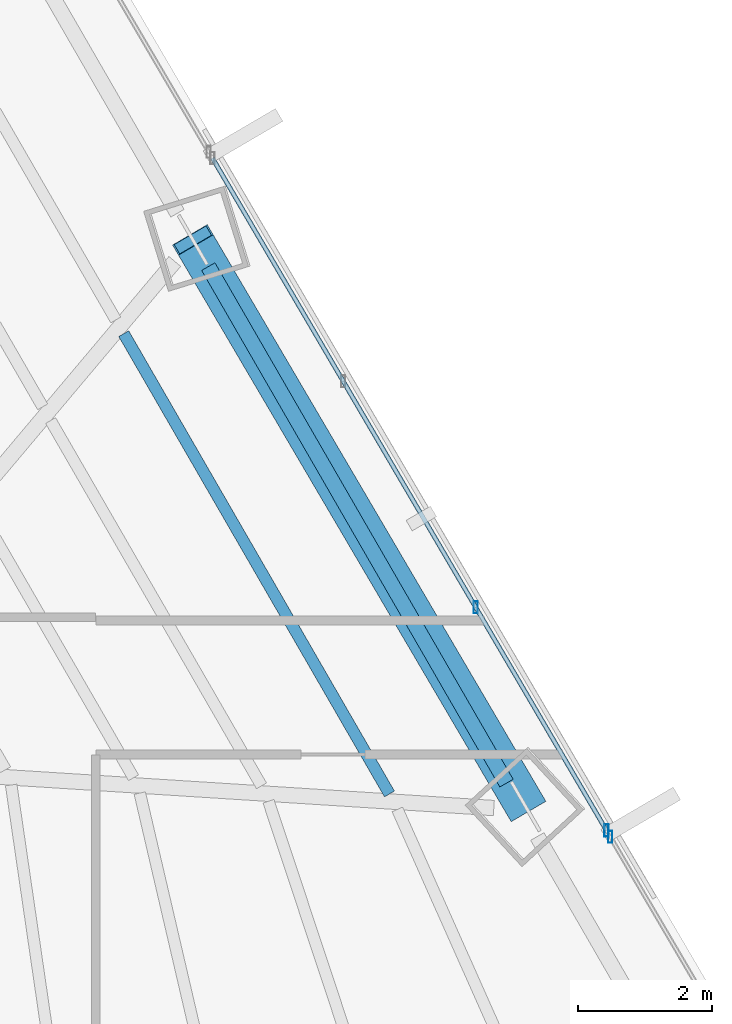
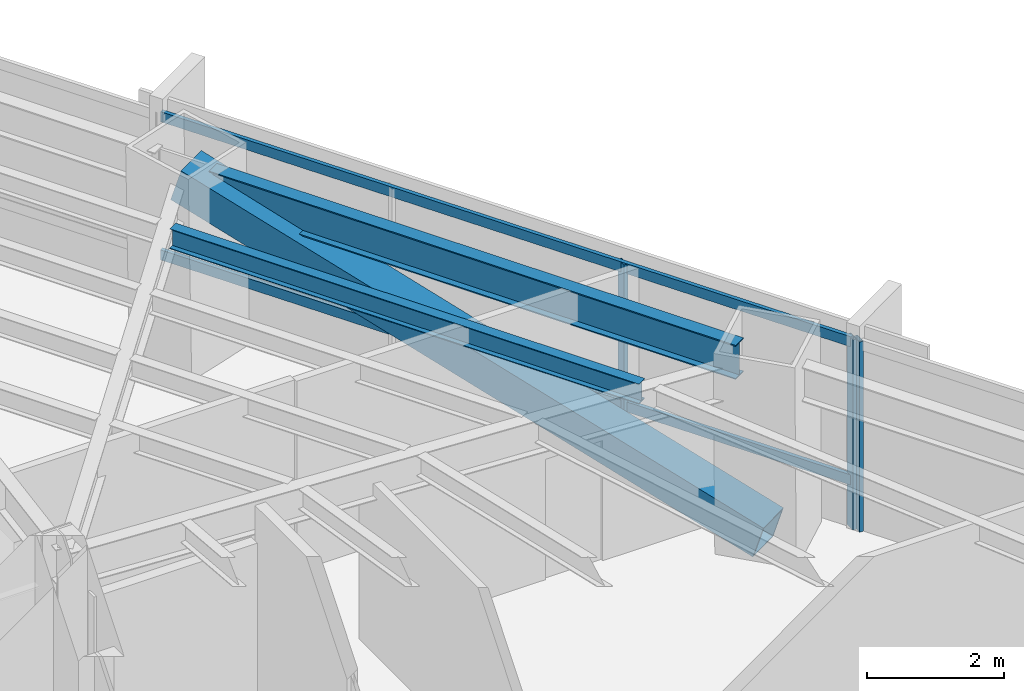
# One storey, part 16 of 29: 6 members, 2 beams, 2 elements without a shape of their own.
"""IFC4 building model written with IfcOpenShell, lengths in metres."""

from ifc_helpers import new_model, si_unit, direction, frame, origin, origin_2d, place, context, subcontext, project, spatial, hollow_rectangle, i_section, extrude, source, transform, mapped, material, material_profile, profile_set, type_object, type_shapes, element, aggregate, save


model = new_model("IFC4")

# Units and contexts
model_context = context("Model", 3, precision=1e-05, world=origin(), true_north=direction((0.0, 1.0)))
body_context = subcontext(model_context, "Body", "Model", "MODEL_VIEW")
ifc_project = project(units=[si_unit("LENGTHUNIT", "METRE"), si_unit("AREAUNIT", "SQUARE_METRE"), si_unit("VOLUMEUNIT", "CUBIC_METRE"), si_unit("PLANEANGLEUNIT", "RADIAN"), si_unit("MASSUNIT", "GRAM", prefix="KILO")], contexts=[model_context])

# Site, building, storey
site_placement = place(None, origin())
site = spatial("IfcSite", under=ifc_project, at=site_placement, CompositionType="ELEMENT")
building_placement = place(site_placement, origin())
building = spatial("IfcBuilding", under=site, at=building_placement, Name="Caelisora Broadcast Tower", CompositionType="ELEMENT")
storey_placement = place(building_placement, frame((0.0, 0.0, 31.25)))
storey = spatial("IfcBuildingStorey", under=building, at=storey_placement, Name="L07", CompositionType="ELEMENT", Elevation=31.25)

# Beams
ifc_material_1 = material(Name="Steel Grade 350 (AS/NZS 3679.1)", Category="steel")
ifc_material_profile_1 = material_profile(ifc_material_1, i_section(OverallWidth=0.22900390625, OverallDepth=0.611572265625, WebThickness=0.011962890625, FlangeThickness=0.01953125, at=origin_2d()), Name="Steel Grade 350 (AS/NZS 3679.1)")
ifc_profile_set_1 = profile_set([ifc_material_profile_1], Name="Steel Grade 350 (AS/NZS 3679.1)")
beam_type_1 = type_object("IfcBeamType", Name="PG03", PredefinedType="BEAM", material=ifc_profile_set_1)
shared_shape_1 = source(origin(), body_context, "Body", "SweptSolid", [
    extrude(i_section(OverallWidth=0.22900390625, OverallDepth=0.611572265625, WebThickness=0.011962890625, FlangeThickness=0.01953125, at=origin_2d()), origin(), (0.0, 0.0, 1.0), 8.900390625),
])
type_shapes(beam_type_1, [shared_shape_1])
beam_1_placement = place(storey_placement, frame((56.7275390625, 29.673583984375, 3.09423828125), z_axis=(-0.49999788721, 0.866026623601, 0.0), x_axis=(-0.866026623601, -0.49999788721, 0.0)))
element("IfcBeam", 1, at=beam_1_placement, inside=storey, type_object=beam_type_1, Name="L07 beam PG03", PredefinedType="BEAM", context=body_context, shape_type="MappedRepresentation", body=[
    mapped(shared_shape_1, transform((0.0, 0.0, 0.0), scale=1.0)),
])
ifc_material_profile_2 = material_profile(ifc_material_1, i_section(OverallWidth=0.172119140625, OverallDepth=0.358642578125, WebThickness=0.008056640625, FlangeThickness=0.012939453125, at=origin_2d()), Name="Steel Grade 350 (AS/NZS 3679.1)")
ifc_profile_set_2 = profile_set([ifc_material_profile_2], Name="Steel Grade 350 (AS/NZS 3679.1)")
beam_type_2 = type_object("IfcBeamType", Name="SB02", PredefinedType="JOIST", material=ifc_profile_set_2)
shared_shape_2 = source(origin(), body_context, "Body", "SweptSolid", [
    extrude(i_section(OverallWidth=0.172119140625, OverallDepth=0.358642578125, WebThickness=0.008056640625, FlangeThickness=0.012939453125, at=origin_2d()), origin(), (0.0, 0.0, 1.0), 7.931640625),
])
type_shapes(beam_type_2, [shared_shape_2])
beam_2_placement = place(storey_placement, frame((54.981201171875, 29.511962890625, 3.220703125), z_axis=(-0.499992447139, 0.866029764387, 0.0), x_axis=(-0.866029764387, -0.499992447139, 0.0)))
element("IfcBeam", 2, at=beam_2_placement, inside=storey, type_object=beam_type_2, Name="L07 beam SB02", PredefinedType="JOIST", context=body_context, shape_type="MappedRepresentation", body=[
    mapped(shared_shape_2, transform((0.0, 0.0, 0.0), scale=1.0)),
])

# Member
ifc_material_2 = material(Name="Steel Grade 450 L15 (AS/NZS 3678)", Category="steel")
ifc_material_profile_3 = material_profile(ifc_material_2, hollow_rectangle(XDim=0.60009765625, YDim=0.60009765625, WallThickness=0.02490234375, at=origin_2d()), Name="Steel Grade 450 L15 (AS/NZS 3678)")
ifc_profile_set_3 = profile_set([ifc_material_profile_3], Name="Steel Grade 450 L15 (AS/NZS 3678)")
member_type_1 = type_object("IfcMemberType", Name="BR01", PredefinedType="BRACE", material=ifc_profile_set_3)
shared_shape_3 = source(origin(), body_context, "Body", "SweptSolid", [
    extrude(hollow_rectangle(XDim=0.60009765625, YDim=0.60009765625, WallThickness=0.02490234375, at=origin_2d()), origin(), (0.0, 0.0, 1.0), 10.2529296875),
])
type_shapes(member_type_1, [shared_shape_3])
member_1_placement = place(storey_placement, frame((57.011962890625, 29.32568359375, 0.10009765625), z_axis=(-0.484211300434, 0.824576008002, 0.29259839979), x_axis=(-0.862314856433, -0.506372479874, 0.0)))
element("IfcMember", 3, at=member_1_placement, inside=storey, type_object=member_type_1, Name="L07 perimeter brace BR01", PredefinedType="BRACE", context=body_context, shape_type="MappedRepresentation", body=[
    mapped(shared_shape_3, transform((0.0, 0.0, 0.0), scale=1.0)),
])

# Curtain wall, members
ifc_material_3 = material(Name="Unitised Aluminium Insulated Shadow-Box Spandrel Curtain Wall", Category="aluminium")
curtain_wall_type_1 = type_object("IfcCurtainWallType", Name="CW-SP1", PredefinedType="NOTDEFINED", material=ifc_material_3)
curtain_wall_1_placement = place(storey_placement, origin())
curtain_wall_1 = element("IfcCurtainWall", 4, at=curtain_wall_1_placement, inside=storey, type_object=curtain_wall_type_1, Name="L07 curtain wall CW-SP1", PredefinedType="NOTDEFINED")
ifc_material_4 = material(Name="Aluminium 6063-T6 Anodised Terracotta Bronze", Category="aluminium")
ifc_material_profile_4 = material_profile(ifc_material_4, hollow_rectangle(XDim=0.06494140625, YDim=0.179931640625, WallThickness=0.00341796875, at=origin_2d()), Name="Aluminium 6063-T6 Anodised Terracotta Bronze")
ifc_profile_set_4 = profile_set([ifc_material_profile_4], Name="Aluminium 6063-T6 Anodised Terracotta Bronze")
member_type_2 = type_object("IfcMemberType", Name="CWM-02", PredefinedType="MULLION", material=ifc_profile_set_4)
shared_shape_4 = source(origin(), body_context, "Body", "SweptSolid", [
    extrude(hollow_rectangle(XDim=0.06494140625, YDim=0.179931640625, WallThickness=0.00341796875, at=origin_2d()), origin(), (0.0, 0.0, 1.0), 3.39990234375),
])
type_shapes(member_type_2, [shared_shape_4])
member_2_placement = place(storey_placement, frame((56.268310546875, 32.296630859375, 0.0), z_axis=(0.0, 0.0, 1.0), x_axis=(1.0, 0.0, 0.0)))
member_2 = element("IfcMember", 5, at=member_2_placement, type_object=member_type_2, Name="L07-CW-B02 mullion #2", PredefinedType="MULLION", context=body_context, shape_type="MappedRepresentation", body=[
    mapped(shared_shape_4, transform((0.0, 0.0, 0.0), scale=1.0)),
])
member_3_placement = place(storey_placement, frame((58.2197265625, 28.967041015625, 0.0), z_axis=(0.0, 0.0, 1.0), x_axis=(1.0, 0.0, 0.0)))
member_3 = element("IfcMember", 6, at=member_3_placement, type_object=member_type_2, Name="L07-CW-B02 mullion #3", PredefinedType="MULLION", context=body_context, shape_type="MappedRepresentation", body=[
    mapped(shared_shape_4, transform((0.0, 0.0, 0.0), scale=1.0)),
])

# Curtain wall, member
ifc_material_5 = material(Name="Unitised Aluminium and Low-E Glass Curtain Wall", Category="glass")
curtain_wall_type_2 = type_object("IfcCurtainWallType", Name="CW-Z1", PredefinedType="NOTDEFINED", material=ifc_material_5)
curtain_wall_2_placement = place(storey_placement, origin())
curtain_wall_2 = element("IfcCurtainWall", 7, at=curtain_wall_2_placement, inside=storey, type_object=curtain_wall_type_2, Name="L07 curtain wall CW-Z1", PredefinedType="NOTDEFINED")
member_4_placement = place(storey_placement, frame((58.275390625, 28.872314453125, 0.0), z_axis=(0.0, 0.0, 1.0), x_axis=(1.0, 0.0, 0.0)))
member_4 = element("IfcMember", 8, at=member_4_placement, type_object=member_type_2, Name="L07-CW-B03 mullion #0", PredefinedType="MULLION", context=body_context, shape_type="MappedRepresentation", body=[
    mapped(shared_shape_4, transform((0.0, 0.0, 0.0), scale=1.0)),
])
aggregate(curtain_wall_2, [member_4])

# Member
ifc_material_profile_5 = material_profile(ifc_material_4, hollow_rectangle(XDim=0.06494140625, YDim=0.179931640625, WallThickness=0.00341796875, at=origin_2d()), Name="Aluminium 6063-T6 Anodised Terracotta Bronze")
ifc_profile_set_5 = profile_set([ifc_material_profile_5], Name="Aluminium 6063-T6 Anodised Terracotta Bronze")
member_type_3 = type_object("IfcMemberType", Name="CWT-01", PredefinedType="USERDEFINED", material=ifc_profile_set_5)
shared_shape_5 = source(origin(), body_context, "Body", "SweptSolid", [
    extrude(hollow_rectangle(XDim=0.06494140625, YDim=0.179931640625, WallThickness=0.00341796875, at=origin_2d()), origin(), (0.0, 0.0, 1.0), 11.62744140625),
])
type_shapes(member_type_3, [shared_shape_5])
member_5_placement = place(storey_placement, frame((52.340576171875, 38.998779296875, 0.85009765625), z_axis=(0.505621963939, -0.862755138833, 0.0), x_axis=(0.862755138833, 0.505621963939, 0.0)))
member_5 = element("IfcMember", 9, at=member_5_placement, type_object=member_type_3, Name="L07-CW-B02 transom #1", ObjectType="TRANSOM", PredefinedType="USERDEFINED", context=body_context, shape_type="MappedRepresentation", body=[
    mapped(shared_shape_5, transform((0.0, 0.0, 0.0), scale=1.0)),
])

member_6_placement = place(storey_placement, frame((52.340576171875, 38.998779296875, 3.320068359375), z_axis=(0.505621963939, -0.862755138833, 0.0), x_axis=(0.862755138833, 0.505621963939, 0.0)))
member_6 = element("IfcMember", 10, at=member_6_placement, type_object=member_type_3, Name="L07-CW-B02 transom #2", ObjectType="TRANSOM", PredefinedType="USERDEFINED", context=body_context, shape_type="MappedRepresentation", body=[
    mapped(shared_shape_5, transform((0.0, 0.0, 0.0), scale=1.0)),
])

aggregate(curtain_wall_1, [member_2, member_3, member_5, member_6])

save(model, "model.ifc")
